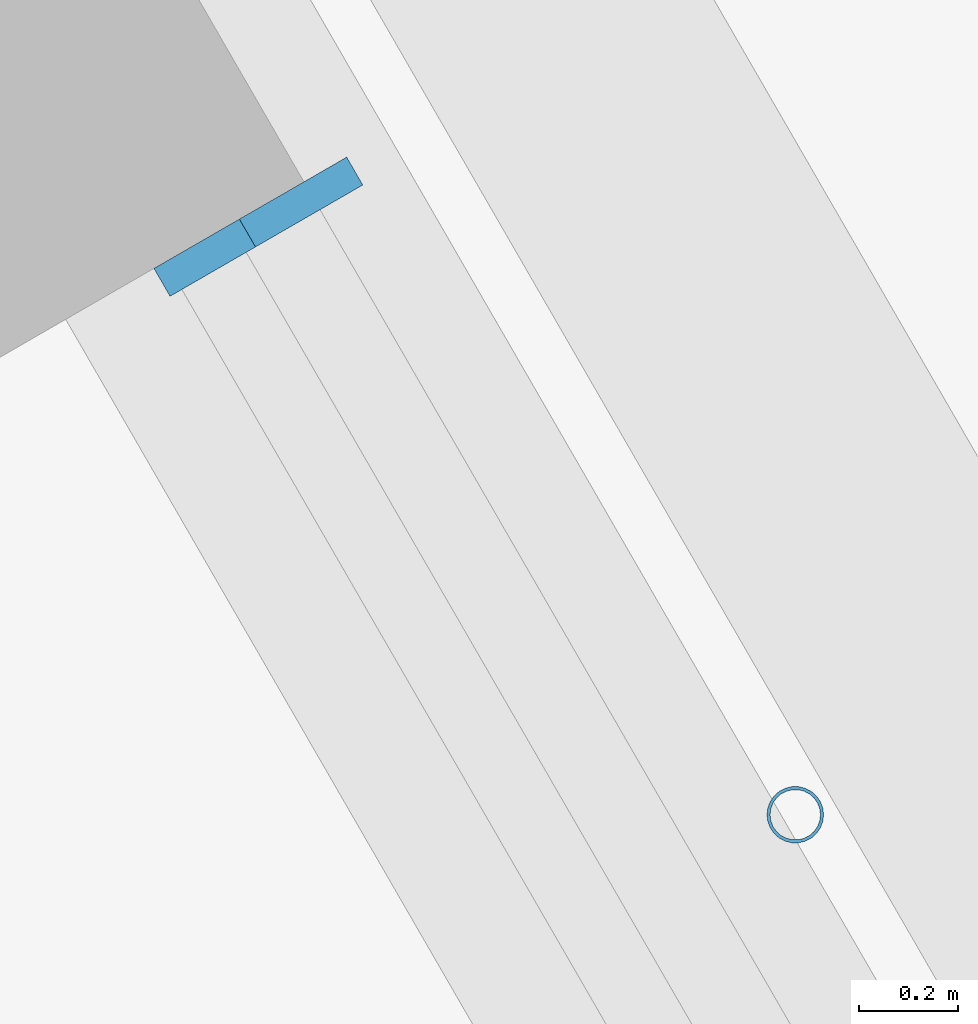
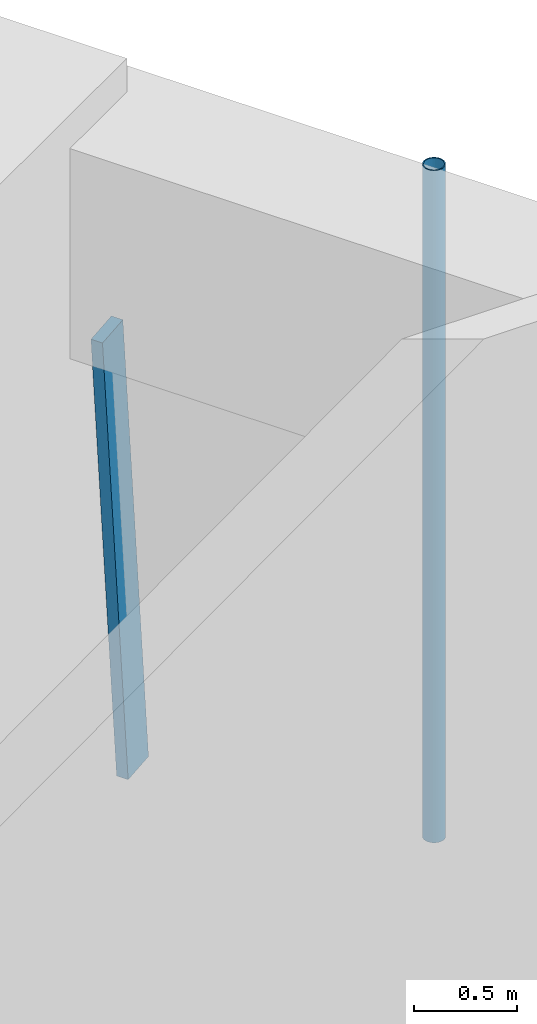
# One storey, part 15 of 24: 2 members, 1 element without a shape of its own.
"""IFC4 building model written with IfcOpenShell, lengths in metres."""

import ifcopenshell
import ifcopenshell.guid

model = None  # the IFC model being written
_history = None  # IfcOwnerHistory: only IFC2X3 demands one
_inside = {}  # id of a spatial element -> (the spatial element, [elements in it])
_under = {}  # id of a project, library or spatial element -> (it, [spatial elements below it])
_declared = {}  # id of a project -> (the project, [libraries it declares])
_typed = {}  # id of a type object -> (the type object, [elements of that type])
_made_of = {}  # id of a material, layer set ... -> (it, [elements and type objects made of it])


def new_model(schema):
    """Start an empty IFC model of exactly this schema.

    Asked for "IFC4X3", IfcOpenShell would pick the latest addendum, in which some entities
    have other attributes; the version numbers below select the first issue.
    IFC2X3 requires an IfcOwnerHistory on every rooted entity: one is made here for all.
    """
    global model, _history
    if schema == "IFC4X3":
        model = ifcopenshell.file(schema_version=(4, 3, 0, 0))
    else:
        model = ifcopenshell.file(schema=schema)
    _inside.clear()
    _under.clear()
    _declared.clear()
    _typed.clear()
    _made_of.clear()
    _history = None
    if model.schema == "IFC2X3":
        org = make("IfcOrganization", Name="unknown")
        user = make(
            "IfcPersonAndOrganization",
            ThePerson=make("IfcPerson", FamilyName="unknown"),
            TheOrganization=org,
        )
        app = make(
            "IfcApplication",
            ApplicationDeveloper=org,
            Version="unknown",
            ApplicationFullName="unknown",
            ApplicationIdentifier="unknown",
        )
        _history = make(
            "IfcOwnerHistory",
            OwningUser=user,
            OwningApplication=app,
            ChangeAction="ADDED",
            CreationDate=0,
        )
    return model


def make(cls, **values):
    """One entity of the class cls with the attributes given. An attribute that is None is left unset."""
    return model.create_entity(
        cls, **{name: value for name, value in values.items() if value is not None}
    )


def rooted(cls, **values):
    """An entity with a GlobalId (a new one), such as an element, a storey or a relation."""
    return make(cls, GlobalId=ifcopenshell.guid.new(), OwnerHistory=_history, **values)


def si_unit(unit_type, name, prefix=None):
    """IfcSIUnit, for example si_unit("LENGTHUNIT", "METRE", prefix="MILLI")."""
    return make("IfcSIUnit", UnitType=unit_type, Prefix=prefix, Name=name)


def assignment(units):
    """IfcUnitAssignment: the units of a project."""
    return None if units is None else make("IfcUnitAssignment", Units=units)


def point(xyz):
    """IfcCartesianPoint."""
    return None if xyz is None else make("IfcCartesianPoint", Coordinates=xyz)


def direction(xyz):
    """IfcDirection."""
    return None if xyz is None else make("IfcDirection", DirectionRatios=xyz)


def frame(location, z_axis=None, x_axis=None):
    """IfcAxis2Placement3D, a coordinate frame: its origin and axes. An axis left out is left unset."""
    return make(
        "IfcAxis2Placement3D",
        Location=point(location),
        Axis=direction(z_axis),
        RefDirection=direction(x_axis),
    )


def frame_2d(location, x_axis=None):
    """IfcAxis2Placement2D, a coordinate frame in the plane: its origin and x axis."""
    return make(
        "IfcAxis2Placement2D", Location=point(location), RefDirection=direction(x_axis)
    )


def origin():
    """The frame at (0, 0, 0) with its axes left unset."""
    return frame((0.0, 0.0, 0.0))


def origin_2d():
    """The frame at (0, 0) in the plane with its x axis left unset."""
    return frame_2d((0.0, 0.0))


def place(relative_to, where):
    """IfcLocalPlacement: puts the frame where relative to a parent placement (None: the world)."""
    return make(
        "IfcLocalPlacement", PlacementRelTo=relative_to, RelativePlacement=where
    )


def context(
    kind, dimensions, precision=None, world=None, true_north=None, identifier=None
):
    """IfcGeometricRepresentationContext, for example the 3D "Model" context."""
    return make(
        "IfcGeometricRepresentationContext",
        ContextIdentifier=identifier,
        ContextType=kind,
        CoordinateSpaceDimension=dimensions,
        Precision=precision,
        WorldCoordinateSystem=world,
        TrueNorth=true_north,
    )


def subcontext(parent, identifier, kind, view, scale=None):
    """IfcGeometricRepresentationSubContext, for example "Body" below "Model"."""
    return make(
        "IfcGeometricRepresentationSubContext",
        ContextIdentifier=identifier,
        ContextType=kind,
        ParentContext=parent,
        TargetScale=scale,
        TargetView=view,
    )


def project(units=None, contexts=None):
    """IfcProject with its units and contexts."""
    return rooted(
        "IfcProject",
        Name="project",
        RepresentationContexts=contexts,
        UnitsInContext=assignment(units),
    )


def spatial(cls, under=None, at=None, **own):
    """A site, building, storey or space (cls), placed at a placement, below another one or the project."""
    s = rooted(cls, ObjectPlacement=at, **own)
    if under is not None:
        _under.setdefault(under.id(), (under, []))[1].append(s)
    return s


def profile(cls, at=None, kind="AREA", **sizes):
    """A parametric profile (cls). Its sizes go by their IFC names, for example OverallWidth=200.0."""
    return make(cls, ProfileType=kind, Position=at, **sizes)


def rectangle(**sizes):
    """IfcRectangleProfileDef."""
    return profile("IfcRectangleProfileDef", **sizes)


def hollow_circle(**sizes):
    """IfcCircleHollowProfileDef."""
    return profile("IfcCircleHollowProfileDef", **sizes)


def extrude(swept, where, along, depth):
    """IfcExtrudedAreaSolid: the profile swept, set in the frame where, extruded along a direction by depth."""
    return make(
        "IfcExtrudedAreaSolid",
        SweptArea=swept,
        Position=where,
        ExtrudedDirection=direction(along),
        Depth=depth,
    )


def shape(context_of_items, identifier, shape_type, items):
    """IfcShapeRepresentation: the items that make up one representation, for example the "Body"."""
    return make(
        "IfcShapeRepresentation",
        ContextOfItems=context_of_items,
        RepresentationIdentifier=identifier,
        RepresentationType=shape_type,
        Items=items,
    )


def material(Name=None, Category=None):
    """IfcMaterial."""
    return make("IfcMaterial", Name=Name, Category=Category)


def material_profile(
    of_material, cross_section, Name=None, Category=None, Priority=None
):
    """IfcMaterialProfile: a cross section and its material."""
    return make(
        "IfcMaterialProfile",
        Name=Name,
        Material=of_material,
        Profile=cross_section,
        Priority=Priority,
        Category=Category,
    )


def profile_set(profiles, Name=None, composite=None):
    """IfcMaterialProfileSet."""
    return make(
        "IfcMaterialProfileSet",
        Name=Name,
        MaterialProfiles=profiles,
        CompositeProfile=composite,
    )


def made_of(thing, what):
    """Note that an element or type object is made of a material, layer set ...; save() writes the relation."""
    if what is not None:
        _made_of.setdefault(what.id(), (what, []))[1].append(thing)
    return thing


def type_object(cls, material=None, **own):
    """A type object (cls), such as IfcWallType, which elements share."""
    return made_of(rooted(cls, **own), material)


def element(
    cls,
    number,
    at=None,
    inside=None,
    cuts=None,
    type_object=None,
    material=None,
    context=None,
    identifier="Body",
    shape_type=None,
    held_by="IfcProductDefinitionShape",
    body=None,
    shapes=None,
    **own,
):
    """One element of the class cls, such as IfcWall. Its Tag is "e" and its number.

    at: its placement. inside: the storey or other place that contains it. cuts: it is an
    opening in that element (IfcRelVoidsElement). A single representation is given by context,
    identifier, shape_type and body (its items); several are given by shapes. held_by: the class
    of the entity that holds the representations. save() writes the other relations.
    """
    e = rooted(cls, Tag="e%d" % number, ObjectPlacement=at, **own)
    if body is not None:
        shapes = [shape(context, identifier, shape_type, body)]
    if shapes is not None:
        e.Representation = make(held_by, Representations=shapes)
    if inside is not None:
        _inside.setdefault(inside.id(), (inside, []))[1].append(e)
    if cuts is not None:
        rooted(
            "IfcRelVoidsElement", RelatingBuildingElement=cuts, RelatedOpeningElement=e
        )
    if type_object is not None:
        _typed.setdefault(type_object.id(), (type_object, []))[1].append(e)
    return made_of(e, material)


def aggregate(whole, parts):
    """IfcRelAggregates: a whole, such as a stair, and the parts it consists of."""
    return rooted("IfcRelAggregates", RelatingObject=whole, RelatedObjects=parts)


def save(model, path):
    """Write the relations noted so far, then the file.

    IfcRelAggregates (storeys below a building ...), IfcRelContainedInSpatialStructure (elements
    in a storey), IfcRelDefinesByType, IfcRelAssociatesMaterial and IfcRelDeclares: one each for
    every whole, place, type object, material and project.
    """
    for whole, parts in _under.values():
        aggregate(whole, parts)
    for where, things in _inside.values():
        rooted(
            "IfcRelContainedInSpatialStructure",
            RelatedElements=things,
            RelatingStructure=where,
        )
    for kind, things in _typed.values():
        rooted("IfcRelDefinesByType", RelatedObjects=things, RelatingType=kind)
    for what, things in _made_of.values():
        rooted("IfcRelAssociatesMaterial", RelatedObjects=things, RelatingMaterial=what)
    for by, libraries in _declared.values():
        rooted("IfcRelDeclares", RelatingContext=by, RelatedDefinitions=libraries)
    model.write(path)


model = new_model("IFC4")

# Units and contexts
model_context = context("Model", 3, precision=1e-05, world=origin(), true_north=direction((0.0, 1.0)))
body_context = subcontext(model_context, "Body", "Model", "MODEL_VIEW")
ifc_project = project(units=[si_unit("LENGTHUNIT", "METRE"), si_unit("AREAUNIT", "SQUARE_METRE"), si_unit("VOLUMEUNIT", "CUBIC_METRE"), si_unit("PLANEANGLEUNIT", "RADIAN"), si_unit("MASSUNIT", "GRAM", prefix="KILO")], contexts=[model_context])

# Site, building, storey
site_placement = place(None, origin())
site = spatial("IfcSite", under=ifc_project, at=site_placement, CompositionType="ELEMENT")
building_placement = place(site_placement, origin())
building = spatial("IfcBuilding", under=site, at=building_placement, Name="Tarfa Lantern Tower", CompositionType="ELEMENT")
storey_placement = place(building_placement, frame((0.0, 0.0, 136.300048828125)))
storey = spatial("IfcBuildingStorey", under=building, at=storey_placement, Name="L30", CompositionType="ELEMENT", Elevation=136.300048828125)

# Curtain wall, member
ifc_material_1 = material(Name="Aluminium framed curtain wall", Category="aluminium")
curtain_wall_type = type_object("IfcCurtainWallType", Name="CW2 CANTED GLAZING MID ZONE 2750", PredefinedType="USERDEFINED", material=ifc_material_1)
curtain_wall_placement = place(storey_placement, origin())
curtain_wall = element("IfcCurtainWall", 1, at=curtain_wall_placement, inside=storey, type_object=curtain_wall_type, Name="CW2 NE L30", ObjectType="CURTAIN WALL", PredefinedType="USERDEFINED")
ifc_material_2 = material(Name="Aluminium mullion", Category="aluminium")
ifc_material_profile_1 = material_profile(ifc_material_2, rectangle(XDim=0.06494140625, YDim=0.199951171875, at=origin_2d()), Name="AL MULLION 65x200")
ifc_profile_set_1 = profile_set([ifc_material_profile_1], Name="Aluminium mullion")
member_type_1 = type_object("IfcMemberType", Name="CWM1 MULLION 65x200", PredefinedType="MULLION", material=ifc_profile_set_1)
member_1_placement = place(storey_placement, frame((30.161376953125, 10.55908203125, 0.0), z_axis=(-0.078422950161, -0.045267813396, 0.995891894715), x_axis=(0.499919672301, -0.866071776036, 0.0)))
member_1 = element("IfcMember", 2, at=member_1_placement, type_object=member_type_1, Name="CW2 mullion 2", PredefinedType="MULLION", context=body_context, shape_type="SweptSolid", body=[
    extrude(rectangle(XDim=0.06494140625, YDim=0.199951171875, at=origin_2d()), origin(), (0.0, 0.0, 1.0), 2.76123046875),
])
aggregate(curtain_wall, [member_1])

# Member
ifc_material_3 = material(Name="Steel S355", Category="steel")
ifc_material_profile_2 = material_profile(ifc_material_3, hollow_circle(Radius=0.05712890625, WallThickness=0.00634765625, at=origin_2d()), Name="CHS114.3x6.3")
ifc_profile_set_2 = profile_set([ifc_material_profile_2], Name="Steel S355")
member_type_2 = type_object("IfcMemberType", Name="TR1 GREEN WALL TRELLIS CHS114.3x6.3", PredefinedType="USERDEFINED", material=ifc_profile_set_2)
member_2_placement = place(storey_placement, frame((31.136474609375, 9.31005859375, 0.0), z_axis=(0.0, 0.0, 1.0), x_axis=(1.0, 0.0, 0.0)))
element("IfcMember", 3, at=member_2_placement, inside=storey, type_object=member_type_2, Name="Trellis post NE 1", ObjectType="TRELLIS", PredefinedType="USERDEFINED", context=body_context, shape_type="SweptSolid", body=[
    extrude(hollow_circle(Radius=0.05712890625, WallThickness=0.00634765625, at=origin_2d()), origin(), (0.0, 0.0, 1.0), 4.0),
])

save(model, "model.ifc")
